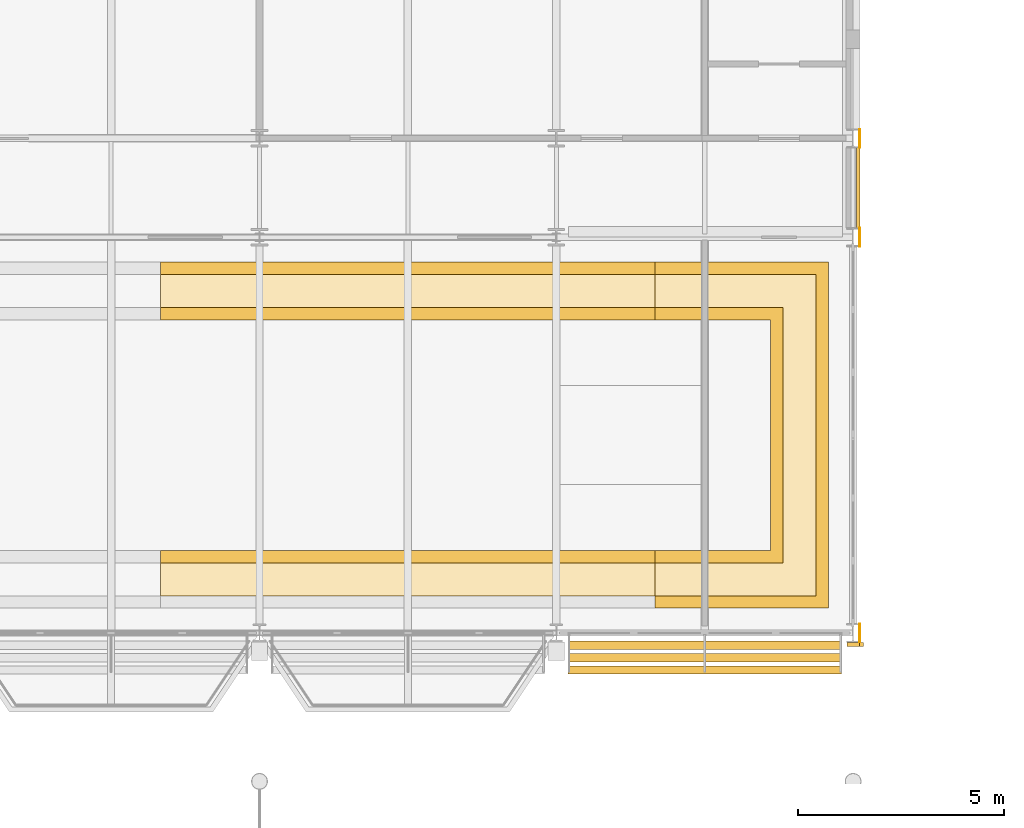
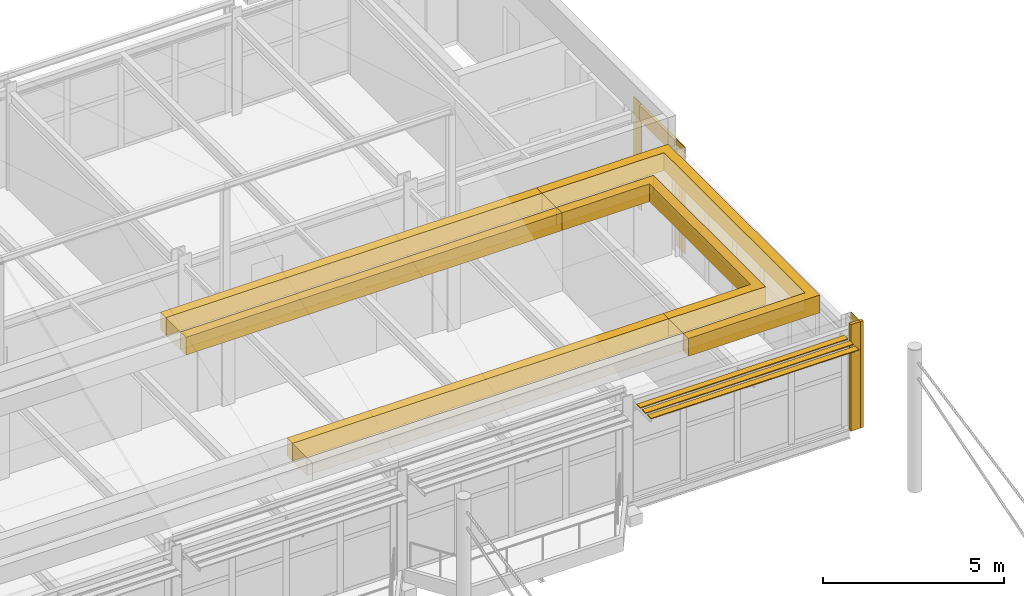
# One storey, part 64 of 68: 14 coverings, 3 shading devices.
"""IFC4 building model written with IfcOpenShell, lengths in metres."""

import ifcopenshell
import ifcopenshell.guid

model = None  # the IFC model being written
_history = None  # IfcOwnerHistory: only IFC2X3 demands one
_inside = {}  # id of a spatial element -> (the spatial element, [elements in it])
_under = {}  # id of a project, library or spatial element -> (it, [spatial elements below it])
_declared = {}  # id of a project -> (the project, [libraries it declares])
_typed = {}  # id of a type object -> (the type object, [elements of that type])
_made_of = {}  # id of a material, layer set ... -> (it, [elements and type objects made of it])


def new_model(schema):
    """Start an empty IFC model of exactly this schema.

    Asked for "IFC4X3", IfcOpenShell would pick the latest addendum, in which some entities
    have other attributes; the version numbers below select the first issue.
    IFC2X3 requires an IfcOwnerHistory on every rooted entity: one is made here for all.
    """
    global model, _history
    if schema == "IFC4X3":
        model = ifcopenshell.file(schema_version=(4, 3, 0, 0))
    else:
        model = ifcopenshell.file(schema=schema)
    _inside.clear()
    _under.clear()
    _declared.clear()
    _typed.clear()
    _made_of.clear()
    _history = None
    if model.schema == "IFC2X3":
        org = make("IfcOrganization", Name="unknown")
        user = make(
            "IfcPersonAndOrganization",
            ThePerson=make("IfcPerson", FamilyName="unknown"),
            TheOrganization=org,
        )
        app = make(
            "IfcApplication",
            ApplicationDeveloper=org,
            Version="unknown",
            ApplicationFullName="unknown",
            ApplicationIdentifier="unknown",
        )
        _history = make(
            "IfcOwnerHistory",
            OwningUser=user,
            OwningApplication=app,
            ChangeAction="ADDED",
            CreationDate=0,
        )
    return model


def make(cls, **values):
    """One entity of the class cls with the attributes given. An attribute that is None is left unset."""
    return model.create_entity(
        cls, **{name: value for name, value in values.items() if value is not None}
    )


def rooted(cls, **values):
    """An entity with a GlobalId (a new one), such as an element, a storey or a relation."""
    return make(cls, GlobalId=ifcopenshell.guid.new(), OwnerHistory=_history, **values)


def si_unit(unit_type, name, prefix=None):
    """IfcSIUnit, for example si_unit("LENGTHUNIT", "METRE", prefix="MILLI")."""
    return make("IfcSIUnit", UnitType=unit_type, Prefix=prefix, Name=name)


def assignment(units):
    """IfcUnitAssignment: the units of a project."""
    return None if units is None else make("IfcUnitAssignment", Units=units)


def point(xyz):
    """IfcCartesianPoint."""
    return None if xyz is None else make("IfcCartesianPoint", Coordinates=xyz)


def direction(xyz):
    """IfcDirection."""
    return None if xyz is None else make("IfcDirection", DirectionRatios=xyz)


def frame(location, z_axis=None, x_axis=None):
    """IfcAxis2Placement3D, a coordinate frame: its origin and axes. An axis left out is left unset."""
    return make(
        "IfcAxis2Placement3D",
        Location=point(location),
        Axis=direction(z_axis),
        RefDirection=direction(x_axis),
    )


def frame_2d(location, x_axis=None):
    """IfcAxis2Placement2D, a coordinate frame in the plane: its origin and x axis."""
    return make(
        "IfcAxis2Placement2D", Location=point(location), RefDirection=direction(x_axis)
    )


def origin():
    """The frame at (0, 0, 0) with its axes left unset."""
    return frame((0.0, 0.0, 0.0))


def origin_2d():
    """The frame at (0, 0) in the plane with its x axis left unset."""
    return frame_2d((0.0, 0.0))


def place(relative_to, where):
    """IfcLocalPlacement: puts the frame where relative to a parent placement (None: the world)."""
    return make(
        "IfcLocalPlacement", PlacementRelTo=relative_to, RelativePlacement=where
    )


def context(
    kind, dimensions, precision=None, world=None, true_north=None, identifier=None
):
    """IfcGeometricRepresentationContext, for example the 3D "Model" context."""
    return make(
        "IfcGeometricRepresentationContext",
        ContextIdentifier=identifier,
        ContextType=kind,
        CoordinateSpaceDimension=dimensions,
        Precision=precision,
        WorldCoordinateSystem=world,
        TrueNorth=true_north,
    )


def subcontext(parent, identifier, kind, view, scale=None):
    """IfcGeometricRepresentationSubContext, for example "Body" below "Model"."""
    return make(
        "IfcGeometricRepresentationSubContext",
        ContextIdentifier=identifier,
        ContextType=kind,
        ParentContext=parent,
        TargetScale=scale,
        TargetView=view,
    )


def project(units=None, contexts=None):
    """IfcProject with its units and contexts."""
    return rooted(
        "IfcProject",
        Name="project",
        RepresentationContexts=contexts,
        UnitsInContext=assignment(units),
    )


def spatial(cls, under=None, at=None, **own):
    """A site, building, storey or space (cls), placed at a placement, below another one or the project."""
    s = rooted(cls, ObjectPlacement=at, **own)
    if under is not None:
        _under.setdefault(under.id(), (under, []))[1].append(s)
    return s


def polyline(points):
    """IfcPolyline through the points."""
    return make("IfcPolyline", Points=[point(p) for p in points])


def profile(cls, at=None, kind="AREA", **sizes):
    """A parametric profile (cls). Its sizes go by their IFC names, for example OverallWidth=200.0."""
    return make(cls, ProfileType=kind, Position=at, **sizes)


def rectangle(**sizes):
    """IfcRectangleProfileDef."""
    return profile("IfcRectangleProfileDef", **sizes)


def outline(outer, holes=None, kind="AREA"):
    """IfcArbitraryClosedProfileDef: a profile drawn as a closed curve; with holes, ...WithVoids."""
    if holes is None:
        return make("IfcArbitraryClosedProfileDef", ProfileType=kind, OuterCurve=outer)
    return make(
        "IfcArbitraryProfileDefWithVoids",
        ProfileType=kind,
        OuterCurve=outer,
        InnerCurves=holes,
    )


def extrude(swept, where, along, depth):
    """IfcExtrudedAreaSolid: the profile swept, set in the frame where, extruded along a direction by depth."""
    return make(
        "IfcExtrudedAreaSolid",
        SweptArea=swept,
        Position=where,
        ExtrudedDirection=direction(along),
        Depth=depth,
    )


def shape(context_of_items, identifier, shape_type, items):
    """IfcShapeRepresentation: the items that make up one representation, for example the "Body"."""
    return make(
        "IfcShapeRepresentation",
        ContextOfItems=context_of_items,
        RepresentationIdentifier=identifier,
        RepresentationType=shape_type,
        Items=items,
    )


def material(Name=None, Category=None):
    """IfcMaterial."""
    return make("IfcMaterial", Name=Name, Category=Category)


def layer(
    of_material, thickness, ventilated=None, Name=None, Category=None, Priority=None
):
    """IfcMaterialLayer: one layer of a wall or slab, of a material (None: an air gap)."""
    return make(
        "IfcMaterialLayer",
        Material=of_material,
        LayerThickness=thickness,
        IsVentilated=ventilated,
        Name=Name,
        Category=Category,
        Priority=Priority,
    )


def layer_set(layers, Name=None):
    """IfcMaterialLayerSet."""
    return make("IfcMaterialLayerSet", MaterialLayers=layers, LayerSetName=Name)


def made_of(thing, what):
    """Note that an element or type object is made of a material, layer set ...; save() writes the relation."""
    if what is not None:
        _made_of.setdefault(what.id(), (what, []))[1].append(thing)
    return thing


def type_object(cls, material=None, **own):
    """A type object (cls), such as IfcWallType, which elements share."""
    return made_of(rooted(cls, **own), material)


def element(
    cls,
    number,
    at=None,
    inside=None,
    cuts=None,
    type_object=None,
    material=None,
    context=None,
    identifier="Body",
    shape_type=None,
    held_by="IfcProductDefinitionShape",
    body=None,
    shapes=None,
    **own,
):
    """One element of the class cls, such as IfcWall. Its Tag is "e" and its number.

    at: its placement. inside: the storey or other place that contains it. cuts: it is an
    opening in that element (IfcRelVoidsElement). A single representation is given by context,
    identifier, shape_type and body (its items); several are given by shapes. held_by: the class
    of the entity that holds the representations. save() writes the other relations.
    """
    e = rooted(cls, Tag="e%d" % number, ObjectPlacement=at, **own)
    if body is not None:
        shapes = [shape(context, identifier, shape_type, body)]
    if shapes is not None:
        e.Representation = make(held_by, Representations=shapes)
    if inside is not None:
        _inside.setdefault(inside.id(), (inside, []))[1].append(e)
    if cuts is not None:
        rooted(
            "IfcRelVoidsElement", RelatingBuildingElement=cuts, RelatedOpeningElement=e
        )
    if type_object is not None:
        _typed.setdefault(type_object.id(), (type_object, []))[1].append(e)
    return made_of(e, material)


def aggregate(whole, parts):
    """IfcRelAggregates: a whole, such as a stair, and the parts it consists of."""
    return rooted("IfcRelAggregates", RelatingObject=whole, RelatedObjects=parts)


def save(model, path):
    """Write the relations noted so far, then the file.

    IfcRelAggregates (storeys below a building ...), IfcRelContainedInSpatialStructure (elements
    in a storey), IfcRelDefinesByType, IfcRelAssociatesMaterial and IfcRelDeclares: one each for
    every whole, place, type object, material and project.
    """
    for whole, parts in _under.values():
        aggregate(whole, parts)
    for where, things in _inside.values():
        rooted(
            "IfcRelContainedInSpatialStructure",
            RelatedElements=things,
            RelatingStructure=where,
        )
    for kind, things in _typed.values():
        rooted("IfcRelDefinesByType", RelatedObjects=things, RelatingType=kind)
    for what, things in _made_of.values():
        rooted("IfcRelAssociatesMaterial", RelatedObjects=things, RelatingMaterial=what)
    for by, libraries in _declared.values():
        rooted("IfcRelDeclares", RelatingContext=by, RelatedDefinitions=libraries)
    model.write(path)


model = new_model("IFC4")

# Units and contexts
model_context = context("Model", 3, precision=1e-05, world=origin(), true_north=direction((0.0, 1.0)))
body_context = subcontext(model_context, "Body", "Model", "MODEL_VIEW")
ifc_project = project(units=[si_unit("LENGTHUNIT", "METRE"), si_unit("AREAUNIT", "SQUARE_METRE"), si_unit("VOLUMEUNIT", "CUBIC_METRE"), si_unit("PLANEANGLEUNIT", "RADIAN"), si_unit("MASSUNIT", "GRAM", prefix="KILO")], contexts=[model_context])

# Site, building, storey
site_placement = place(None, origin())
site = spatial("IfcSite", under=ifc_project, at=site_placement, CompositionType="ELEMENT")
building_placement = place(site_placement, origin())
building = spatial("IfcBuilding", under=site, at=building_placement, Name="Kupolbacken Congress Centre", CompositionType="ELEMENT")
storey_placement = place(building_placement, frame((0.0, 0.0, 25.199951171875)))
storey = spatial("IfcBuildingStorey", under=building, at=storey_placement, Name="L07", CompositionType="ELEMENT", Elevation=25.199951171875)

# Coverings
ifc_material_1 = material(Name="Limestone cladding", Category="masonry")
ifc_layer_1 = layer(ifc_material_1, 0.1201171875)
ifc_layer_set_1 = layer_set([ifc_layer_1], Name="Limestone cladding")
covering_type_1 = type_object("IfcCoveringType", Name="CV1 limestone cladding band 120", PredefinedType="CLADDING", material=ifc_layer_set_1)
covering_1_placement = place(storey_placement, frame((136.927490234375, 133.199951171875, 3.08984375), z_axis=(0.0, 0.0, 1.0), x_axis=(0.0, 1.0, 0.0)))
element("IfcCovering", 1, at=covering_1_placement, inside=storey, type_object=covering_type_1, Name="E/T/E/L07/100/band", PredefinedType="CLADDING", context=body_context, shape_type="SweptSolid", body=[
    extrude(rectangle(XDim=1.949951171875, YDim=0.0849609375, at=origin_2d()), origin(), (0.0, 0.0, 1.0), 0.510009765625),
])
ifc_material_2 = material(Name="Brick cladding", Category="masonry")
ifc_layer_2 = layer(ifc_material_2, 0.10791015625)
ifc_layer_set_2 = layer_set([ifc_layer_2], Name="Brick cladding")
covering_type_2 = type_object("IfcCoveringType", Name="CV2 brick cladding band 108", PredefinedType="CLADDING", material=ifc_layer_set_2)
covering_2_placement = place(storey_placement, frame((137.0, 122.125, 0.0), z_axis=(0.0, 0.0, 1.0), x_axis=(1.0, 0.0, 0.0)))
element("IfcCovering", 2, at=covering_2_placement, inside=storey, type_object=covering_type_2, Name="E/T/pilaster/L07/C-T-20T/corner", PredefinedType="CLADDING", context=body_context, shape_type="SweptSolid", body=[
    extrude(rectangle(XDim=0.10009765625, YDim=0.10009765625, at=origin_2d()), origin(), (0.0, 0.0, 1.0), 3.60009765625),
])
covering_3_placement = place(storey_placement, frame((136.9599609375, 122.39990234375, 0.0), z_axis=(0.0, 0.0, 1.0), x_axis=(1.0, 0.0, 0.0)))
element("IfcCovering", 3, at=covering_3_placement, inside=storey, type_object=covering_type_2, Name="E/T/pilaster/L07/C-T-20T/E", PredefinedType="CLADDING", context=body_context, shape_type="SweptSolid", body=[
    extrude(rectangle(XDim=0.02001953125, YDim=0.449951171875, at=origin_2d()), origin(), (0.0, 0.0, 1.0), 3.60009765625),
])
covering_4_placement = place(storey_placement, frame((136.800048828125, 122.125, 0.0), z_axis=(0.0, 0.0, 1.0), x_axis=(1.0, 0.0, 0.0)))
element("IfcCovering", 4, at=covering_4_placement, inside=storey, type_object=covering_type_2, Name="E/T/pilaster/L07/C-T-20T/S", PredefinedType="CLADDING", context=body_context, shape_type="SweptSolid", body=[
    extrude(rectangle(XDim=0.300048828125, YDim=0.10009765625, at=origin_2d()), origin(), (0.0, 0.0, 1.0), 3.60009765625),
])
for number, where, z_axis, x_axis, name in (
    (5, (136.9599609375, 132.0, 0.0), (0.0, 0.0, 1.0), (1.0, 0.0, 0.0), "E/T/pilaster/L07/C-T-20U+2400/E"),
    (6, (136.9599609375, 134.39990234375, 0.0), (0.0, 0.0, 1.0), (1.0, 0.0, 0.0), "E/T/pilaster/L07/C-T-20U+4800/E"),
):
    element("IfcCovering", number, at=place(storey_placement, frame(where, z_axis=z_axis, x_axis=x_axis)), inside=storey, type_object=covering_type_2, Name=name, PredefinedType="CLADDING", context=body_context, shape_type="SweptSolid", body=[
        extrude(rectangle(XDim=0.02001953125, YDim=0.449951171875, at=origin_2d()), origin(), (0.0, 0.0, 1.0), 3.60009765625),
    ])
ifc_material_3 = material(Name="Limestone cladding", Category="masonry")
ifc_layer_3 = layer(ifc_material_3, 0.60009765625)
ifc_layer_set_3 = layer_set([ifc_layer_3], Name="Limestone cladding")
covering_type_3 = type_object("IfcCoveringType", Name="CV5 limestone arcade pier 600", PredefinedType="CLADDING", material=ifc_layer_set_3)
covering_5_placement = place(storey_placement, frame((0.0, 0.0, 3.60009765625)))
element("IfcCovering", 7, at=covering_5_placement, inside=storey, type_object=covering_type_3, Name="Bed kerb, roof garden", PredefinedType="CLADDING", context=body_context, shape_type="SweptSolid", body=[
    extrude(outline(polyline([(132.0, 131.3974609375), (132.0, 131.097412109375), (120.0, 131.097412109375), (120.0, 131.3974609375), (132.0, 131.3974609375)])), origin(), (0.0, 0.0, 1.0), 0.599853515625),
])
covering_6_placement = place(storey_placement, frame((0.0, 0.0, 3.60009765625)))
element("IfcCovering", 8, at=covering_6_placement, inside=storey, type_object=covering_type_3, Name="Bed kerb, roof garden", PredefinedType="CLADDING", context=body_context, shape_type="SweptSolid", body=[
    extrude(outline(polyline([(136.197509765625, 131.3974609375), (136.197509765625, 123.00244140625), (132.0, 123.00244140625), (132.0, 123.302490234375), (135.8974609375, 123.302490234375), (135.8974609375, 131.097412109375), (132.0, 131.097412109375), (132.0, 131.3974609375), (136.197509765625, 131.3974609375)])), origin(), (0.0, 0.0, 1.0), 0.599853515625),
])
covering_7_placement = place(storey_placement, frame((0.0, 0.0, 3.60009765625)))
element("IfcCovering", 9, at=covering_7_placement, inside=storey, type_object=covering_type_3, Name="Bed kerb, roof garden", PredefinedType="CLADDING", context=body_context, shape_type="SweptSolid", body=[
    extrude(outline(polyline([(132.0, 130.297607421875), (132.0, 129.99755859375), (120.0, 129.99755859375), (120.0, 130.297607421875), (132.0, 130.297607421875)])), origin(), (0.0, 0.0, 1.0), 0.599853515625),
])
covering_8_placement = place(storey_placement, frame((0.0, 0.0, 3.60009765625)))
element("IfcCovering", 10, at=covering_8_placement, inside=storey, type_object=covering_type_3, Name="Bed kerb, roof garden", PredefinedType="CLADDING", context=body_context, shape_type="SweptSolid", body=[
    extrude(outline(polyline([(120.0, 124.1025390625), (120.0, 124.402587890625), (132.0, 124.402587890625), (132.0, 124.1025390625), (120.0, 124.1025390625)])), origin(), (0.0, 0.0, 1.0), 0.599853515625),
])
covering_9_placement = place(storey_placement, frame((0.0, 0.0, 3.60009765625)))
element("IfcCovering", 11, at=covering_9_placement, inside=storey, type_object=covering_type_3, Name="Bed kerb, roof garden", PredefinedType="CLADDING", context=body_context, shape_type="SweptSolid", body=[
    extrude(outline(polyline([(135.097412109375, 130.297607421875), (135.097412109375, 124.1025390625), (132.0, 124.1025390625), (132.0, 124.402587890625), (134.797607421875, 124.402587890625), (134.797607421875, 129.99755859375), (132.0, 129.99755859375), (132.0, 130.297607421875), (135.097412109375, 130.297607421875)])), origin(), (0.0, 0.0, 1.0), 0.599853515625),
])
ifc_material_4 = material(Name="Planting substrate", Category="soil")
ifc_layer_4 = layer(ifc_material_4, 0.60009765625)
ifc_layer_set_4 = layer_set([ifc_layer_4], Name="Planting substrate")
covering_type_4 = type_object("IfcCoveringType", Name="GR8 planting substrate 600", PredefinedType="FLOORING", material=ifc_layer_set_4)
covering_10_placement = place(storey_placement, frame((0.0, 0.0, 3.60009765625)))
element("IfcCovering", 12, at=covering_10_placement, inside=storey, type_object=covering_type_4, Name="Planting bed, roof garden", PredefinedType="FLOORING", context=body_context, shape_type="SweptSolid", body=[
    extrude(outline(polyline([(120.0, 123.302490234375), (120.0, 124.1025390625), (132.0, 124.1025390625), (132.0, 123.302490234375), (120.0, 123.302490234375)])), origin(), (0.0, 0.0, 1.0), 0.599853515625),
])
covering_11_placement = place(storey_placement, frame((0.0, 0.0, 3.60009765625)))
element("IfcCovering", 13, at=covering_11_placement, inside=storey, type_object=covering_type_4, Name="Planting bed, roof garden", PredefinedType="FLOORING", context=body_context, shape_type="SweptSolid", body=[
    extrude(outline(polyline([(132.0, 131.097412109375), (132.0, 130.297607421875), (120.0, 130.297607421875), (120.0, 131.097412109375), (132.0, 131.097412109375)])), origin(), (0.0, 0.0, 1.0), 0.599853515625),
])
covering_12_placement = place(storey_placement, frame((0.0, 0.0, 3.60009765625)))
element("IfcCovering", 14, at=covering_12_placement, inside=storey, type_object=covering_type_4, Name="Planting bed, roof garden", PredefinedType="FLOORING", context=body_context, shape_type="SweptSolid", body=[
    extrude(outline(polyline([(132.0, 123.302490234375), (132.0, 124.1025390625), (135.097412109375, 124.1025390625), (135.097412109375, 130.297607421875), (132.0, 130.297607421875), (132.0, 131.097412109375), (135.8974609375, 131.097412109375), (135.8974609375, 123.302490234375), (132.0, 123.302490234375)])), origin(), (0.0, 0.0, 1.0), 0.599853515625),
])

# Shading devices
ifc_material_5 = material(Name="Aluminium alloy louvre", Category="aluminium")
ifc_layer_5 = layer(ifc_material_5, 0.030029296875)
ifc_layer_set_5 = layer_set([ifc_layer_5], Name="Aluminium alloy louvre")
shading_device_type = type_object("IfcShadingDeviceType", Name="SC1 louvre blade 30 x 200", PredefinedType="JALOUSIE", material=ifc_layer_set_5)
for number, where, z_axis, x_axis, name in (
    (15, (133.20166015625, 122.10009765625, 3.18994140625), (0.0, 0.0, 1.0), (1.0, 0.0, 0.0), "Brise-soleil blade"),
    (16, (133.20166015625, 121.800048828125, 3.18994140625), (0.0, 0.0, 1.0), (1.0, 0.0, 0.0), "Brise-soleil blade"),
    (17, (133.20166015625, 121.5, 3.18994140625), (0.0, 0.0, 1.0), (1.0, 0.0, 0.0), "Brise-soleil blade"),
):
    element("IfcShadingDevice", number, at=place(storey_placement, frame(where, z_axis=z_axis, x_axis=x_axis)), inside=storey, type_object=shading_device_type, Name=name, PredefinedType="JALOUSIE", context=body_context, shape_type="SweptSolid", body=[
        extrude(rectangle(XDim=6.636474609375, YDim=0.199951171875, at=origin_2d()), origin(), (0.0, 0.0, 1.0), 0.030029296875),
    ])

save(model, "model.ifc")
